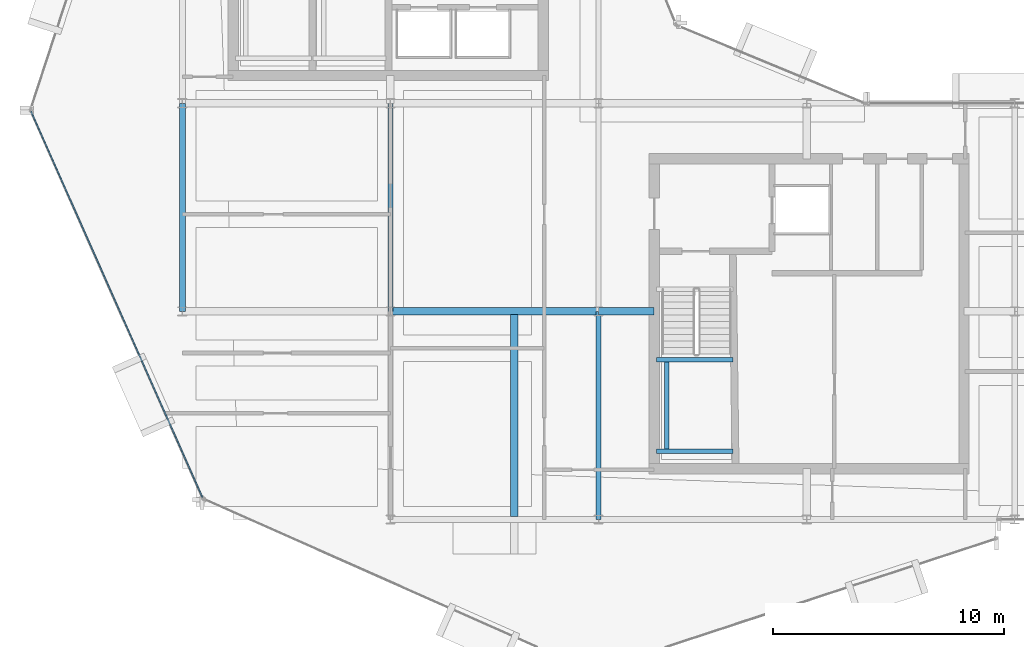
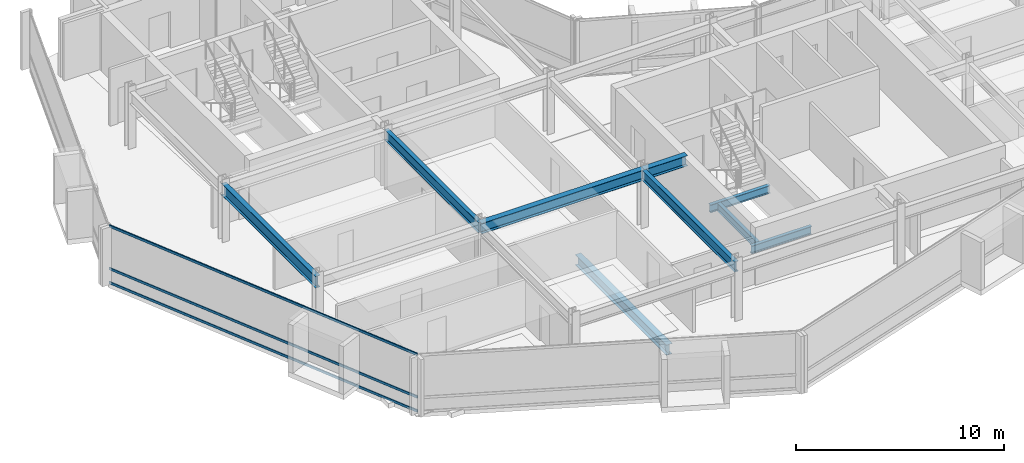
# One storey, part 5 of 27: 9 beams, 3 members, 1 element without a shape of its own.
"""IFC4 building model written with IfcOpenShell, lengths in metres."""

import ifcopenshell
import ifcopenshell.guid

model = None  # the IFC model being written
_history = None  # IfcOwnerHistory: only IFC2X3 demands one
_inside = {}  # id of a spatial element -> (the spatial element, [elements in it])
_under = {}  # id of a project, library or spatial element -> (it, [spatial elements below it])
_declared = {}  # id of a project -> (the project, [libraries it declares])
_typed = {}  # id of a type object -> (the type object, [elements of that type])
_made_of = {}  # id of a material, layer set ... -> (it, [elements and type objects made of it])


def new_model(schema):
    """Start an empty IFC model of exactly this schema.

    Asked for "IFC4X3", IfcOpenShell would pick the latest addendum, in which some entities
    have other attributes; the version numbers below select the first issue.
    IFC2X3 requires an IfcOwnerHistory on every rooted entity: one is made here for all.
    """
    global model, _history
    if schema == "IFC4X3":
        model = ifcopenshell.file(schema_version=(4, 3, 0, 0))
    else:
        model = ifcopenshell.file(schema=schema)
    _inside.clear()
    _under.clear()
    _declared.clear()
    _typed.clear()
    _made_of.clear()
    _history = None
    if model.schema == "IFC2X3":
        org = make("IfcOrganization", Name="unknown")
        user = make(
            "IfcPersonAndOrganization",
            ThePerson=make("IfcPerson", FamilyName="unknown"),
            TheOrganization=org,
        )
        app = make(
            "IfcApplication",
            ApplicationDeveloper=org,
            Version="unknown",
            ApplicationFullName="unknown",
            ApplicationIdentifier="unknown",
        )
        _history = make(
            "IfcOwnerHistory",
            OwningUser=user,
            OwningApplication=app,
            ChangeAction="ADDED",
            CreationDate=0,
        )
    return model


def make(cls, **values):
    """One entity of the class cls with the attributes given. An attribute that is None is left unset."""
    return model.create_entity(
        cls, **{name: value for name, value in values.items() if value is not None}
    )


def rooted(cls, **values):
    """An entity with a GlobalId (a new one), such as an element, a storey or a relation."""
    return make(cls, GlobalId=ifcopenshell.guid.new(), OwnerHistory=_history, **values)


def si_unit(unit_type, name, prefix=None):
    """IfcSIUnit, for example si_unit("LENGTHUNIT", "METRE", prefix="MILLI")."""
    return make("IfcSIUnit", UnitType=unit_type, Prefix=prefix, Name=name)


def assignment(units):
    """IfcUnitAssignment: the units of a project."""
    return None if units is None else make("IfcUnitAssignment", Units=units)


def point(xyz):
    """IfcCartesianPoint."""
    return None if xyz is None else make("IfcCartesianPoint", Coordinates=xyz)


def direction(xyz):
    """IfcDirection."""
    return None if xyz is None else make("IfcDirection", DirectionRatios=xyz)


def frame(location, z_axis=None, x_axis=None):
    """IfcAxis2Placement3D, a coordinate frame: its origin and axes. An axis left out is left unset."""
    return make(
        "IfcAxis2Placement3D",
        Location=point(location),
        Axis=direction(z_axis),
        RefDirection=direction(x_axis),
    )


def frame_2d(location, x_axis=None):
    """IfcAxis2Placement2D, a coordinate frame in the plane: its origin and x axis."""
    return make(
        "IfcAxis2Placement2D", Location=point(location), RefDirection=direction(x_axis)
    )


def origin():
    """The frame at (0, 0, 0) with its axes left unset."""
    return frame((0.0, 0.0, 0.0))


def origin_2d():
    """The frame at (0, 0) in the plane with its x axis left unset."""
    return frame_2d((0.0, 0.0))


def place(relative_to, where):
    """IfcLocalPlacement: puts the frame where relative to a parent placement (None: the world)."""
    return make(
        "IfcLocalPlacement", PlacementRelTo=relative_to, RelativePlacement=where
    )


def context(
    kind, dimensions, precision=None, world=None, true_north=None, identifier=None
):
    """IfcGeometricRepresentationContext, for example the 3D "Model" context."""
    return make(
        "IfcGeometricRepresentationContext",
        ContextIdentifier=identifier,
        ContextType=kind,
        CoordinateSpaceDimension=dimensions,
        Precision=precision,
        WorldCoordinateSystem=world,
        TrueNorth=true_north,
    )


def subcontext(parent, identifier, kind, view, scale=None):
    """IfcGeometricRepresentationSubContext, for example "Body" below "Model"."""
    return make(
        "IfcGeometricRepresentationSubContext",
        ContextIdentifier=identifier,
        ContextType=kind,
        ParentContext=parent,
        TargetScale=scale,
        TargetView=view,
    )


def project(units=None, contexts=None):
    """IfcProject with its units and contexts."""
    return rooted(
        "IfcProject",
        Name="project",
        RepresentationContexts=contexts,
        UnitsInContext=assignment(units),
    )


def spatial(cls, under=None, at=None, **own):
    """A site, building, storey or space (cls), placed at a placement, below another one or the project."""
    s = rooted(cls, ObjectPlacement=at, **own)
    if under is not None:
        _under.setdefault(under.id(), (under, []))[1].append(s)
    return s


def profile(cls, at=None, kind="AREA", **sizes):
    """A parametric profile (cls). Its sizes go by their IFC names, for example OverallWidth=200.0."""
    return make(cls, ProfileType=kind, Position=at, **sizes)


def hollow_rectangle(**sizes):
    """IfcRectangleHollowProfileDef."""
    return profile("IfcRectangleHollowProfileDef", **sizes)


def i_section(**sizes):
    """IfcIShapeProfileDef."""
    return profile("IfcIShapeProfileDef", **sizes)


def extrude(swept, where, along, depth):
    """IfcExtrudedAreaSolid: the profile swept, set in the frame where, extruded along a direction by depth."""
    return make(
        "IfcExtrudedAreaSolid",
        SweptArea=swept,
        Position=where,
        ExtrudedDirection=direction(along),
        Depth=depth,
    )


def shape(context_of_items, identifier, shape_type, items):
    """IfcShapeRepresentation: the items that make up one representation, for example the "Body"."""
    return make(
        "IfcShapeRepresentation",
        ContextOfItems=context_of_items,
        RepresentationIdentifier=identifier,
        RepresentationType=shape_type,
        Items=items,
    )


def material(Name=None, Category=None):
    """IfcMaterial."""
    return make("IfcMaterial", Name=Name, Category=Category)


def layer(
    of_material, thickness, ventilated=None, Name=None, Category=None, Priority=None
):
    """IfcMaterialLayer: one layer of a wall or slab, of a material (None: an air gap)."""
    return make(
        "IfcMaterialLayer",
        Material=of_material,
        LayerThickness=thickness,
        IsVentilated=ventilated,
        Name=Name,
        Category=Category,
        Priority=Priority,
    )


def layer_set(layers, Name=None):
    """IfcMaterialLayerSet."""
    return make("IfcMaterialLayerSet", MaterialLayers=layers, LayerSetName=Name)


def material_profile(
    of_material, cross_section, Name=None, Category=None, Priority=None
):
    """IfcMaterialProfile: a cross section and its material."""
    return make(
        "IfcMaterialProfile",
        Name=Name,
        Material=of_material,
        Profile=cross_section,
        Priority=Priority,
        Category=Category,
    )


def profile_set(profiles, Name=None, composite=None):
    """IfcMaterialProfileSet."""
    return make(
        "IfcMaterialProfileSet",
        Name=Name,
        MaterialProfiles=profiles,
        CompositeProfile=composite,
    )


def made_of(thing, what):
    """Note that an element or type object is made of a material, layer set ...; save() writes the relation."""
    if what is not None:
        _made_of.setdefault(what.id(), (what, []))[1].append(thing)
    return thing


def type_object(cls, material=None, **own):
    """A type object (cls), such as IfcWallType, which elements share."""
    return made_of(rooted(cls, **own), material)


def element(
    cls,
    number,
    at=None,
    inside=None,
    cuts=None,
    type_object=None,
    material=None,
    context=None,
    identifier="Body",
    shape_type=None,
    held_by="IfcProductDefinitionShape",
    body=None,
    shapes=None,
    **own,
):
    """One element of the class cls, such as IfcWall. Its Tag is "e" and its number.

    at: its placement. inside: the storey or other place that contains it. cuts: it is an
    opening in that element (IfcRelVoidsElement). A single representation is given by context,
    identifier, shape_type and body (its items); several are given by shapes. held_by: the class
    of the entity that holds the representations. save() writes the other relations.
    """
    e = rooted(cls, Tag="e%d" % number, ObjectPlacement=at, **own)
    if body is not None:
        shapes = [shape(context, identifier, shape_type, body)]
    if shapes is not None:
        e.Representation = make(held_by, Representations=shapes)
    if inside is not None:
        _inside.setdefault(inside.id(), (inside, []))[1].append(e)
    if cuts is not None:
        rooted(
            "IfcRelVoidsElement", RelatingBuildingElement=cuts, RelatedOpeningElement=e
        )
    if type_object is not None:
        _typed.setdefault(type_object.id(), (type_object, []))[1].append(e)
    return made_of(e, material)


def aggregate(whole, parts):
    """IfcRelAggregates: a whole, such as a stair, and the parts it consists of."""
    return rooted("IfcRelAggregates", RelatingObject=whole, RelatedObjects=parts)


def save(model, path):
    """Write the relations noted so far, then the file.

    IfcRelAggregates (storeys below a building ...), IfcRelContainedInSpatialStructure (elements
    in a storey), IfcRelDefinesByType, IfcRelAssociatesMaterial and IfcRelDeclares: one each for
    every whole, place, type object, material and project.
    """
    for whole, parts in _under.values():
        aggregate(whole, parts)
    for where, things in _inside.values():
        rooted(
            "IfcRelContainedInSpatialStructure",
            RelatedElements=things,
            RelatingStructure=where,
        )
    for kind, things in _typed.values():
        rooted("IfcRelDefinesByType", RelatedObjects=things, RelatingType=kind)
    for what, things in _made_of.values():
        rooted("IfcRelAssociatesMaterial", RelatedObjects=things, RelatingMaterial=what)
    for by, libraries in _declared.values():
        rooted("IfcRelDeclares", RelatingContext=by, RelatedDefinitions=libraries)
    model.write(path)


model = new_model("IFC4")

# Units and contexts
model_context = context("Model", 3, precision=1e-05, world=origin(), true_north=direction((0.0, 1.0)))
body_context = subcontext(model_context, "Body", "Model", "MODEL_VIEW")
ifc_project = project(units=[si_unit("LENGTHUNIT", "METRE"), si_unit("AREAUNIT", "SQUARE_METRE"), si_unit("VOLUMEUNIT", "CUBIC_METRE"), si_unit("PLANEANGLEUNIT", "RADIAN"), si_unit("MASSUNIT", "GRAM", prefix="KILO")], contexts=[model_context])

# Site, building, storey
site_placement = place(None, origin())
site = spatial("IfcSite", under=ifc_project, at=site_placement, CompositionType="ELEMENT")
building_placement = place(site_placement, origin())
building = spatial("IfcBuilding", under=site, at=building_placement, Name="Solvaryn Broadcast Tower", CompositionType="ELEMENT")
storey_placement = place(building_placement, frame((0.0, 0.0, 232.10009765625)))
storey = spatial("IfcBuildingStorey", under=building, at=storey_placement, Name="L58", CompositionType="ELEMENT", Elevation=232.10009765625)

# Beams
ifc_material_1 = material(Name="Steel ASTM A992 Grade 50", Category="steel")
ifc_material_profile_1 = material_profile(ifc_material_1, i_section(OverallWidth=0.323974609375, OverallDepth=0.611083984375, WebThickness=0.0126953125, FlangeThickness=0.01904296875, FilletRadius=0.014892578125, at=origin_2d()))
ifc_profile_set_1 = profile_set([ifc_material_profile_1], Name="Steel ASTM A992 Grade 50")
beam_type_1 = type_object("IfcBeamType", Name="BM-B1-W24X104", PredefinedType="BEAM", material=ifc_profile_set_1)
beam_1_placement = place(storey_placement, frame((23.35009765625, 17.875, -0.585693359375), z_axis=(0.0, -1.0, 0.0), x_axis=(1.0, 0.0, 0.0)))
element("IfcBeam", 1, at=beam_1_placement, inside=storey, type_object=beam_type_1, Name="L58 Bay-Box Back-Span Beam 1", PredefinedType="BEAM", context=body_context, shape_type="SweptSolid", body=[
    extrude(i_section(OverallWidth=0.323974609375, OverallDepth=0.611083984375, WebThickness=0.0126953125, FlangeThickness=0.01904296875, FilletRadius=0.014892578125, at=origin_2d()), origin(), (0.0, 0.0, 1.0), 8.75),
])
beam_2_placement = place(storey_placement, frame((18.0, 18.0, 3.064453125), z_axis=(1.0, 0.0, 0.0), x_axis=(0.0, 1.0, 0.0)))
element("IfcBeam", 2, at=beam_2_placement, inside=storey, type_object=beam_type_1, Name="L58 Primary Beam X (18-27 @ Y=18)", PredefinedType="BEAM", context=body_context, shape_type="SweptSolid", body=[
    extrude(i_section(OverallWidth=0.323974609375, OverallDepth=0.611083984375, WebThickness=0.0126953125, FlangeThickness=0.01904296875, FilletRadius=0.014892578125, at=origin_2d()), origin(), (0.0, 0.0, 1.0), 9.0),
])
beam_3_placement = place(storey_placement, frame((27.0, 18.0, 3.064453125), z_axis=(1.0, 0.0, 0.0), x_axis=(0.0, 1.0, 0.0)))
element("IfcBeam", 3, at=beam_3_placement, inside=storey, type_object=beam_type_1, Name="L58 Core Tie Beam CTE4", PredefinedType="BEAM", context=body_context, shape_type="SweptSolid", body=[
    extrude(i_section(OverallWidth=0.323974609375, OverallDepth=0.611083984375, WebThickness=0.0126953125, FlangeThickness=0.01904296875, FilletRadius=0.014892578125, at=origin_2d()), origin(), (0.0, 0.0, 1.0), 2.39990234375),
])
ifc_material_2 = material(Name="Steel ASTM A992 Grade 50", Category="steel")
ifc_material_profile_2 = material_profile(ifc_material_2, i_section(OverallWidth=0.22802734375, OverallDepth=0.60791015625, WebThickness=0.01123046875, FlangeThickness=0.017333984375, FilletRadius=0.014892578125, at=origin_2d()))
ifc_profile_set_2 = profile_set([ifc_material_profile_2], Name="Steel ASTM A992 Grade 50")
beam_type_2 = type_object("IfcBeamType", Name="BM-B2-W24X76", PredefinedType="BEAM", material=ifc_profile_set_2)
for number, where, z_axis, x_axis, name in (
    (4, (18.0, 18.0, 3.06591796875), (0.0, 1.0, 0.0), (-1.0, 0.0, 0.0), "L58 Primary Beam Y (18-27 @ X=18)"),
    (5, (27.0, 9.0, 3.06591796875), (0.0, 1.0, 0.0), (-1.0, 0.0, 0.0), "L58 Primary Beam Y (9-18 @ X=27)"),
):
    element("IfcBeam", number, at=place(storey_placement, frame(where, z_axis=z_axis, x_axis=x_axis)), inside=storey, type_object=beam_type_2, Name=name, PredefinedType="BEAM", context=body_context, shape_type="SweptSolid", body=[
        extrude(i_section(OverallWidth=0.22802734375, OverallDepth=0.60791015625, WebThickness=0.01123046875, FlangeThickness=0.017333984375, FilletRadius=0.014892578125, at=origin_2d()), origin(), (0.0, 0.0, 1.0), 9.0),
    ])
ifc_material_3 = material(Name="Steel ASTM A992 Grade 50", Category="steel")
ifc_material_profile_3 = material_profile(ifc_material_3, i_section(OverallWidth=0.18994140625, OverallDepth=0.45703125, WebThickness=0.009033203125, FlangeThickness=0.014404296875, FilletRadius=0.011962890625, at=origin_2d()))
ifc_profile_set_3 = profile_set([ifc_material_profile_3], Name="Steel ASTM A992 Grade 50")
beam_type_3 = type_object("IfcBeamType", Name="BM-B4-W18X50", PredefinedType="BEAM", material=ifc_profile_set_3)
for number, where, z_axis, x_axis, name in (
    (6, (29.5, 11.949951171875, 1.42138671875), (1.0, 0.0, 0.0), (0.0, 1.0, 0.0), "L58 ST3 Landing Support Beam 1A"),
    (7, (29.5, 15.909912109375, 1.42138671875), (1.0, 0.0, 0.0), (0.0, 1.0, 0.0), "L58 ST3 Landing Support Beam 1B"),
):
    element("IfcBeam", number, at=place(storey_placement, frame(where, z_axis=z_axis, x_axis=x_axis)), inside=storey, type_object=beam_type_3, Name=name, PredefinedType="BEAM", context=body_context, shape_type="SweptSolid", body=[
        extrude(i_section(OverallWidth=0.18994140625, OverallDepth=0.45703125, WebThickness=0.009033203125, FlangeThickness=0.014404296875, FilletRadius=0.011962890625, at=origin_2d()), origin(), (0.0, 0.0, 1.0), 3.320068359375),
    ])
beam_4_placement = place(storey_placement, frame((29.949951171875, 11.949951171875, 1.42138671875), z_axis=(0.0, 1.0, 0.0), x_axis=(-1.0, 0.0, 0.0)))
element("IfcBeam", 8, at=beam_4_placement, inside=storey, type_object=beam_type_3, Name="L58 ST3 Landing Cross Stringer 1C", PredefinedType="BEAM", context=body_context, shape_type="SweptSolid", body=[
    extrude(i_section(OverallWidth=0.18994140625, OverallDepth=0.45703125, WebThickness=0.009033203125, FlangeThickness=0.014404296875, FilletRadius=0.011962890625, at=origin_2d()), origin(), (0.0, 0.0, 1.0), 3.9599609375),
])
ifc_material_4 = material(Name="Steel ASTM A992 Grade 50", Category="steel")
ifc_material_profile_4 = material_profile(ifc_material_4, i_section(OverallWidth=0.256103515625, OverallDepth=0.693115234375, WebThickness=0.014404296875, FlangeThickness=0.023681640625, FilletRadius=0.01611328125, at=origin_2d()))
ifc_profile_set_4 = profile_set([ifc_material_profile_4], Name="Steel ASTM A992 Grade 50")
beam_type_4 = type_object("IfcBeamType", Name="BM-SP3-W27X114", PredefinedType="USERDEFINED", material=ifc_profile_set_4)
beam_5_placement = place(storey_placement, frame((9.0, 18.0, 3.0234375), z_axis=(0.0, 1.0, 0.0), x_axis=(-1.0, 0.0, 0.0)))
element("IfcBeam", 9, at=beam_5_placement, inside=storey, type_object=beam_type_4, Name="L58 Spandrel Beam Y (18-27 @ X=9)", ObjectType="SPANDREL", PredefinedType="USERDEFINED", context=body_context, shape_type="SweptSolid", body=[
    extrude(i_section(OverallWidth=0.256103515625, OverallDepth=0.693115234375, WebThickness=0.014404296875, FlangeThickness=0.023681640625, FilletRadius=0.01611328125, at=origin_2d()), origin(), (0.0, 0.0, 1.0), 9.0),
])

# Curtain wall, members
ifc_material_5 = material(Name="Aluminium and Terracotta Unitised Curtain Wall", Category="masonry")
ifc_layer = layer(ifc_material_5, 0.239990234375)
ifc_layer_set = layer_set([ifc_layer], Name="CW-SYS3-BAYBOX")
curtain_wall_type = type_object("IfcCurtainWallType", Name="CW-SYS3-BAYBOX", PredefinedType="NOTDEFINED", material=ifc_layer_set)
curtain_wall_placement = place(storey_placement, origin())
curtain_wall = element("IfcCurtainWall", 10, at=curtain_wall_placement, inside=storey, type_object=curtain_wall_type, Name="L58 Curtain Wall DR2", PredefinedType="NOTDEFINED")
ifc_material_6 = material(Name="Anodised Aluminium 6063-T6", Category="aluminium")
ifc_material_profile_5 = material_profile(ifc_material_6, hollow_rectangle(XDim=0.06494140625, YDim=0.14990234375, WallThickness=0.00390625, InnerFilletRadius=0.00390625, OuterFilletRadius=0.008056640625, at=origin_2d()))
ifc_profile_set_5 = profile_set([ifc_material_profile_5], Name="Anodised Aluminium 6063-T6")
member_type = type_object("IfcMemberType", Name="CW-TRN-150", PredefinedType="USERDEFINED", material=ifc_profile_set_5)
member_1_placement = place(storey_placement, frame((2.457275390625, 26.651123046875, 0.02978515625), z_axis=(0.405901653299, -0.913916761992, 0.0), x_axis=(0.913916761992, 0.405901653299, 0.0)))
member_1 = element("IfcMember", 11, at=member_1_placement, type_object=member_type, Name="CWS3 transom 1.1", ObjectType="TRANSOM", PredefinedType="USERDEFINED", context=body_context, shape_type="SweptSolid", body=[
    extrude(hollow_rectangle(XDim=0.06494140625, YDim=0.14990234375, WallThickness=0.00390625, InnerFilletRadius=0.00390625, OuterFilletRadius=0.008056640625, at=origin_2d()), origin(), (0.0, 0.0, 1.0), 18.27099609375),
])
member_2_placement = place(storey_placement, frame((2.457275390625, 26.651123046875, 0.849853515625), z_axis=(0.405901653299, -0.913916761992, 0.0), x_axis=(0.913916761992, 0.405901653299, 0.0)))
member_2 = element("IfcMember", 12, at=member_2_placement, type_object=member_type, Name="CWS3 transom 1.2", ObjectType="TRANSOM", PredefinedType="USERDEFINED", context=body_context, shape_type="SweptSolid", body=[
    extrude(hollow_rectangle(XDim=0.06494140625, YDim=0.14990234375, WallThickness=0.00390625, InnerFilletRadius=0.00390625, OuterFilletRadius=0.008056640625, at=origin_2d()), origin(), (0.0, 0.0, 1.0), 18.27099609375),
])
member_3_placement = place(storey_placement, frame((2.457275390625, 26.651123046875, 3.33984375), z_axis=(0.405901653299, -0.913916761992, 0.0), x_axis=(0.913916761992, 0.405901653299, 0.0)))
member_3 = element("IfcMember", 13, at=member_3_placement, type_object=member_type, Name="CWS3 transom 1.3", ObjectType="TRANSOM", PredefinedType="USERDEFINED", context=body_context, shape_type="SweptSolid", body=[
    extrude(hollow_rectangle(XDim=0.06494140625, YDim=0.14990234375, WallThickness=0.00390625, InnerFilletRadius=0.00390625, OuterFilletRadius=0.008056640625, at=origin_2d()), origin(), (0.0, 0.0, 1.0), 18.27099609375),
])
aggregate(curtain_wall, [member_1, member_2, member_3])

save(model, "model.ifc")
